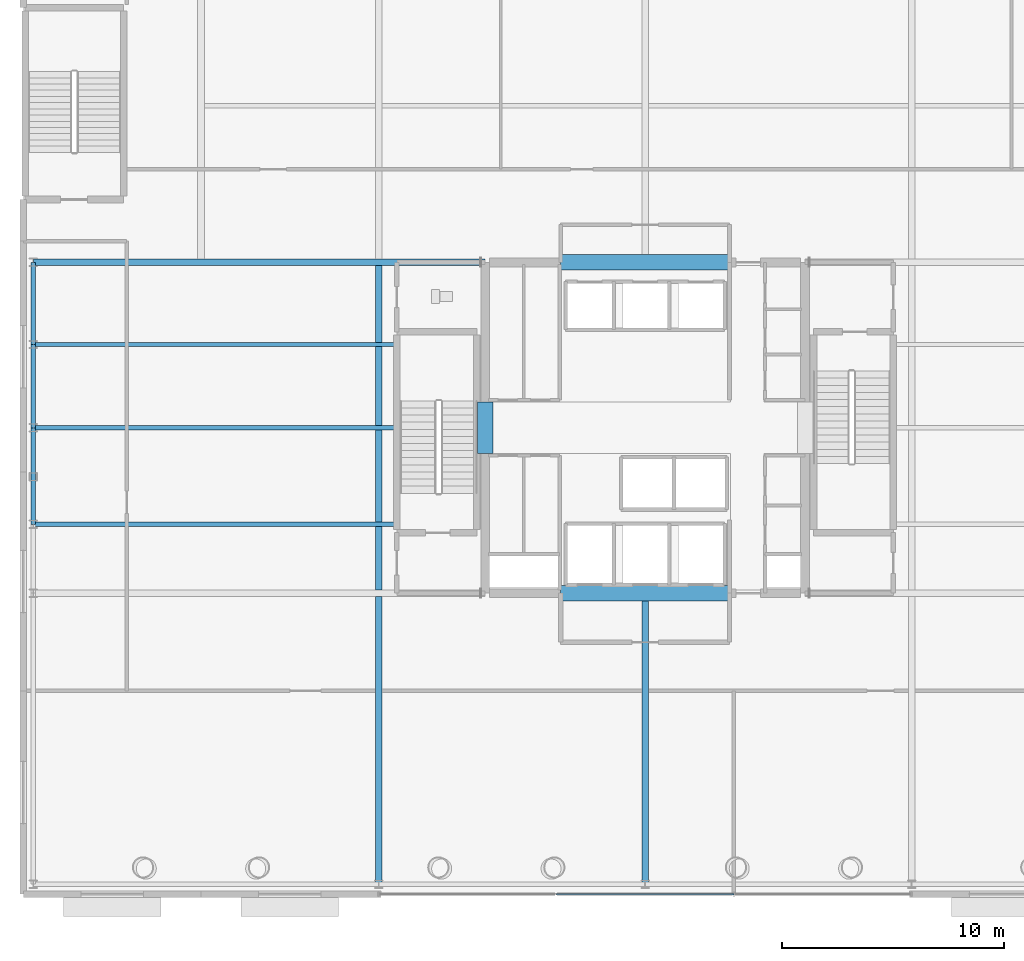
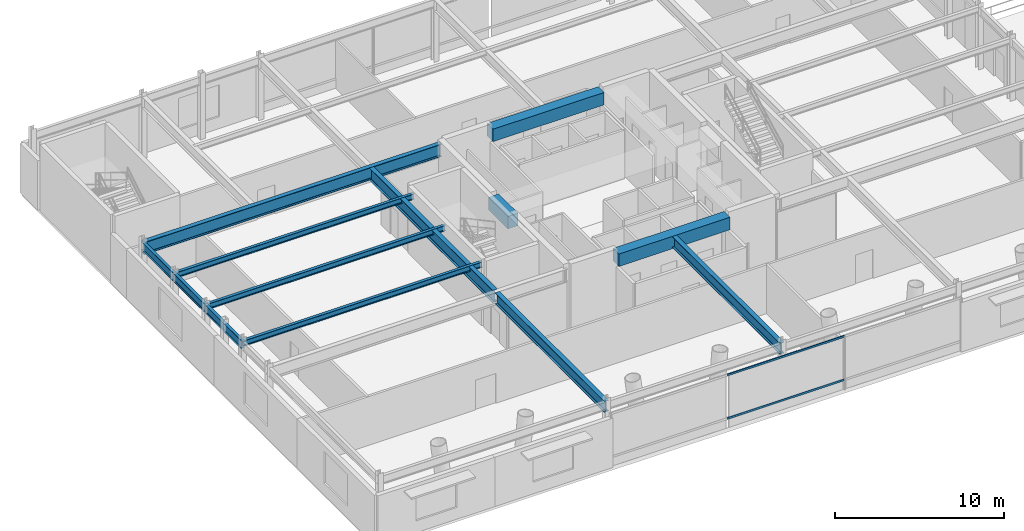
# One storey, part 7 of 22: 13 beams, 2 members, 1 element without a shape of its own.
"""IFC4 building model written with IfcOpenShell, lengths in metres."""

from ifc_helpers import new_model, si_unit, direction, frame, origin, origin_2d, place, context, subcontext, project, spatial, rectangle, hollow_rectangle, i_section, extrude, material, layer, layer_set, material_profile, profile_set, type_object, element, aggregate, save


model = new_model("IFC4")

# Units and contexts
model_context = context("Model", 3, precision=1e-05, world=origin(), true_north=direction((0.0, 1.0)))
body_context = subcontext(model_context, "Body", "Model", "MODEL_VIEW")
ifc_project = project(units=[si_unit("LENGTHUNIT", "METRE"), si_unit("AREAUNIT", "SQUARE_METRE"), si_unit("VOLUMEUNIT", "CUBIC_METRE"), si_unit("PLANEANGLEUNIT", "RADIAN"), si_unit("MASSUNIT", "GRAM", prefix="KILO")], contexts=[model_context])

# Site, building, storey
site_placement = place(None, origin())
site = spatial("IfcSite", under=ifc_project, at=site_placement, CompositionType="ELEMENT")
building_placement = place(site_placement, origin())
building = spatial("IfcBuilding", under=site, at=building_placement, Name="Veldorina Hangang Commons", CompositionType="ELEMENT")
storey_placement = place(building_placement, frame((0.0, 0.0, 14.800048828125)))
storey = spatial("IfcBuildingStorey", under=building, at=storey_placement, Name="L03", CompositionType="ELEMENT", Elevation=14.800048828125)

# Beams
ifc_material_1 = material(Name="Concrete C70/85", Category="concrete")
ifc_material_profile_1 = material_profile(ifc_material_1, rectangle(XDim=0.699951171875, YDim=0.89990234375, at=origin_2d()), Name="RC-CB-700x900")
ifc_profile_set_1 = profile_set([ifc_material_profile_1], Name="Concrete C70/85")
beam_type_1 = type_object("IfcBeamType", Name="BM-CB900", PredefinedType="LINTEL", material=ifc_profile_set_1)
beam_1_placement = place(storey_placement, frame((24.800048828125, 22.85009765625, 4.050048828125), z_axis=(0.0, 1.0, 0.0), x_axis=(-1.0, 0.0, 0.0)))
element("IfcBeam", 1, at=beam_1_placement, inside=storey, type_object=beam_type_1, Name="L03 W core coupling lintel beam", PredefinedType="LINTEL", context=body_context, shape_type="SweptSolid", body=[
    extrude(rectangle(XDim=0.699951171875, YDim=0.89990234375, at=origin_2d()), origin(), (0.0, 0.0, 1.0), 2.2998046875),
])
for number, where, z_axis, x_axis, name in (
    (2, (28.199951171875, 16.550048828125, 4.050048828125), (1.0, 0.0, 0.0), (0.0, 1.0, 0.0), "L03 south core coupling beam"),
    (3, (28.199951171875, 31.449951171875, 4.050048828125), (1.0, 0.0, 0.0), (0.0, 1.0, 0.0), "L03 north core coupling beam"),
):
    element("IfcBeam", number, at=place(storey_placement, frame(where, z_axis=z_axis, x_axis=x_axis)), inside=storey, type_object=beam_type_1, Name=name, PredefinedType="LINTEL", context=body_context, shape_type="SweptSolid", body=[
        extrude(rectangle(XDim=0.699951171875, YDim=0.89990234375, at=origin_2d()), origin(), (0.0, 0.0, 1.0), 7.60009765625),
    ])
ifc_material_2 = material(Name="Steel SM355-TMC", Category="steel")
ifc_material_profile_2 = material_profile(ifc_material_2, i_section(OverallWidth=0.199951171875, OverallDepth=0.39990234375, WebThickness=0.008056640625, FlangeThickness=0.012939453125, FilletRadius=0.012939453125, at=origin_2d()), Name="H-400x200x8x13")
ifc_profile_set_2 = profile_set([ifc_material_profile_2], Name="Steel SM355-TMC")
beam_type_2 = type_object("IfcBeamType", Name="BM-JST400", PredefinedType="JOIST", material=ifc_profile_set_2)
for number, where, z_axis, x_axis, name in (
    (4, (4.449951171875, 19.64990234375, 4.300048828125), (1.0, 0.0, 0.0), (0.0, 1.0, 0.0), "L03 west floor joist 1"),
    (5, (4.449951171875, 24.0, 4.300048828125), (1.0, 0.0, 0.0), (0.0, 1.0, 0.0), "L03 west floor joist 2"),
    (6, (4.449951171875, 27.75, 4.300048828125), (1.0, 0.0, 0.0), (0.0, 1.0, 0.0), "L03 west floor joist 3"),
):
    element("IfcBeam", number, at=place(storey_placement, frame(where, z_axis=z_axis, x_axis=x_axis)), inside=storey, type_object=beam_type_2, Name=name, PredefinedType="JOIST", context=body_context, shape_type="SweptSolid", body=[
        extrude(i_section(OverallWidth=0.199951171875, OverallDepth=0.39990234375, WebThickness=0.008056640625, FlangeThickness=0.012939453125, FilletRadius=0.012939453125, at=origin_2d()), origin(), (0.0, 0.0, 1.0), 16.3701171875),
    ])
ifc_material_3 = material(Name="Steel SM460-TMC", Category="steel")
ifc_material_profile_3 = material_profile(ifc_material_3, i_section(OverallWidth=0.300048828125, OverallDepth=0.800048828125, WebThickness=0.013916015625, FlangeThickness=0.02587890625, FilletRadius=0.02197265625, at=origin_2d()), Name="H-800x300x14x26")
ifc_profile_set_3 = profile_set([ifc_material_profile_3], Name="Steel SM460-TMC")
beam_type_3 = type_object("IfcBeamType", Name="BM-PG800", PredefinedType="BEAM", material=ifc_profile_set_3)
beam_2_placement = place(storey_placement, frame((20.0, 3.449951171875, 4.099853515625), z_axis=(0.0, 1.0, 0.0), x_axis=(-1.0, 0.0, 0.0)))
element("IfcBeam", 7, at=beam_2_placement, inside=storey, type_object=beam_type_3, Name="L03 south primary girder G3", PredefinedType="BEAM", context=body_context, shape_type="SweptSolid", body=[
    extrude(i_section(OverallWidth=0.300048828125, OverallDepth=0.800048828125, WebThickness=0.013916015625, FlangeThickness=0.02587890625, FilletRadius=0.02197265625, at=origin_2d()), origin(), (0.0, 0.0, 1.0), 12.9599609375),
])
beam_3_placement = place(storey_placement, frame((32.0, 3.449951171875, 4.099853515625), z_axis=(0.0, 1.0, 0.0), x_axis=(-1.0, 0.0, 0.0)))
element("IfcBeam", 8, at=beam_3_placement, inside=storey, type_object=beam_type_3, Name="L03 south primary girder G5", PredefinedType="BEAM", context=body_context, shape_type="SweptSolid", body=[
    extrude(i_section(OverallWidth=0.300048828125, OverallDepth=0.800048828125, WebThickness=0.013916015625, FlangeThickness=0.02587890625, FilletRadius=0.02197265625, at=origin_2d()), origin(), (0.0, 0.0, 1.0), 13.10009765625),
])
ifc_material_profile_4 = material_profile(ifc_material_3, i_section(OverallWidth=0.300048828125, OverallDepth=0.89990234375, WebThickness=0.01611328125, FlangeThickness=0.028076171875, FilletRadius=0.02197265625, at=origin_2d()), Name="H-900x300x16x28")
ifc_profile_set_4 = profile_set([ifc_material_profile_4], Name="Steel SM460-TMC")
beam_type_4 = type_object("IfcBeamType", Name="BM-PG900", PredefinedType="BEAM", material=ifc_profile_set_4)
beam_4_placement = place(storey_placement, frame((4.449951171875, 31.449951171875, 4.050048828125), z_axis=(1.0, 0.0, 0.0), x_axis=(0.0, 1.0, 0.0)))
element("IfcBeam", 9, at=beam_4_placement, inside=storey, type_object=beam_type_4, Name="L03 west collector girder GF", PredefinedType="BEAM", context=body_context, shape_type="SweptSolid", body=[
    extrude(i_section(OverallWidth=0.300048828125, OverallDepth=0.89990234375, WebThickness=0.01611328125, FlangeThickness=0.028076171875, FilletRadius=0.02197265625, at=origin_2d()), origin(), (0.0, 0.0, 1.0), 20.35009765625),
])
beam_5_placement = place(storey_placement, frame((20.0, 16.68994140625, 4.050048828125), z_axis=(0.0, 1.0, 0.0), x_axis=(-1.0, 0.0, 0.0)))
element("IfcBeam", 10, at=beam_5_placement, inside=storey, type_object=beam_type_4, Name="L03 mid primary girder G3", PredefinedType="BEAM", context=body_context, shape_type="SweptSolid", body=[
    extrude(i_section(OverallWidth=0.300048828125, OverallDepth=0.89990234375, WebThickness=0.01611328125, FlangeThickness=0.028076171875, FilletRadius=0.02197265625, at=origin_2d()), origin(), (0.0, 0.0, 1.0), 14.6201171875),
])
ifc_material_4 = material(Name="Steel SM420-TMC", Category="steel")
ifc_material_profile_5 = material_profile(ifc_material_4, i_section(OverallWidth=0.199951171875, OverallDepth=0.60009765625, WebThickness=0.010986328125, FlangeThickness=0.01708984375, FilletRadius=0.01806640625, at=origin_2d()), Name="H-600x200x11x17")
ifc_profile_set_5 = profile_set([ifc_material_profile_5], Name="Steel SM420-TMC")
beam_type_5 = type_object("IfcBeamType", Name="BM-SPN600", PredefinedType="SPANDREL", material=ifc_profile_set_5)
beam_6_placement = place(storey_placement, frame((4.449951171875, 19.64990234375, 4.199951171875), z_axis=(0.0, 1.0, 0.0), x_axis=(-1.0, 0.0, 0.0)))
element("IfcBeam", 11, at=beam_6_placement, inside=storey, type_object=beam_type_5, Name="L03 west spandrel beam 3", PredefinedType="SPANDREL", context=body_context, shape_type="SweptSolid", body=[
    extrude(i_section(OverallWidth=0.199951171875, OverallDepth=0.60009765625, WebThickness=0.010986328125, FlangeThickness=0.01708984375, FilletRadius=0.01806640625, at=origin_2d()), origin(), (0.0, 0.0, 1.0), 4.35009765625),
])
beam_7_placement = place(storey_placement, frame((4.449951171875, 24.0, 4.199951171875), z_axis=(0.0, 1.0, 0.0), x_axis=(-1.0, 0.0, 0.0)))
element("IfcBeam", 12, at=beam_7_placement, inside=storey, type_object=beam_type_5, Name="L03 west spandrel beam 4", PredefinedType="SPANDREL", context=body_context, shape_type="SweptSolid", body=[
    extrude(i_section(OverallWidth=0.199951171875, OverallDepth=0.60009765625, WebThickness=0.010986328125, FlangeThickness=0.01708984375, FilletRadius=0.01806640625, at=origin_2d()), origin(), (0.0, 0.0, 1.0), 3.75),
])
beam_8_placement = place(storey_placement, frame((4.449951171875, 27.75, 4.199951171875), z_axis=(0.0, 1.0, 0.0), x_axis=(-1.0, 0.0, 0.0)))
element("IfcBeam", 13, at=beam_8_placement, inside=storey, type_object=beam_type_5, Name="L03 west spandrel beam 5", PredefinedType="SPANDREL", context=body_context, shape_type="SweptSolid", body=[
    extrude(i_section(OverallWidth=0.199951171875, OverallDepth=0.60009765625, WebThickness=0.010986328125, FlangeThickness=0.01708984375, FilletRadius=0.01806640625, at=origin_2d()), origin(), (0.0, 0.0, 1.0), 3.699951171875),
])

# Curtain wall, members
ifc_material_5 = material(Name="Glass Low-E Triple IGU", Category="glass")
ifc_layer = layer(ifc_material_5, 0.179931640625)
ifc_layer_set = layer_set([ifc_layer], Name="Glass Low-E Triple IGU")
curtain_wall_type = type_object("IfcCurtainWallType", Name="CW-SYS-POD", PredefinedType="NOTDEFINED", material=ifc_layer_set)
curtain_wall_placement = place(storey_placement, origin())
curtain_wall = element("IfcCurtainWall", 14, at=curtain_wall_placement, inside=storey, type_object=curtain_wall_type, Name="L03 unitised curtain wall CW-L03-S-CTR", PredefinedType="NOTDEFINED")
ifc_material_6 = material(Name="Aluminium Anodized AA6063-T6", Category="aluminium")
ifc_material_profile_6 = material_profile(ifc_material_6, hollow_rectangle(XDim=0.06005859375, YDim=0.139892578125, WallThickness=0.00341796875, at=origin_2d()), Name="ALU-RHS-140x60x3.5")
ifc_profile_set_6 = profile_set([ifc_material_profile_6], Name="Aluminium Anodized AA6063-T6")
member_type = type_object("IfcMemberType", Name="CW-TRN-140", PredefinedType="USERDEFINED", material=ifc_profile_set_6)
member_1_placement = place(storey_placement, frame((28.0, 3.0, 0.699951171875), z_axis=(1.0, 0.0, 0.0), x_axis=(0.0, 1.0, 0.0)))
member_1 = element("IfcMember", 15, at=member_1_placement, type_object=member_type, Name="CW-L03-S-CTR facet 2 transom 1", ObjectType="TRANSOM", PredefinedType="USERDEFINED", context=body_context, shape_type="SweptSolid", body=[
    extrude(hollow_rectangle(XDim=0.06005859375, YDim=0.139892578125, WallThickness=0.00341796875, at=origin_2d()), origin(), (0.0, 0.0, 1.0), 8.0),
])
member_2_placement = place(storey_placement, frame((28.0, 3.0, 3.83984375), z_axis=(1.0, 0.0, 0.0), x_axis=(0.0, 1.0, 0.0)))
member_2 = element("IfcMember", 16, at=member_2_placement, type_object=member_type, Name="CW-L03-S-CTR facet 2 transom 2", ObjectType="TRANSOM", PredefinedType="USERDEFINED", context=body_context, shape_type="SweptSolid", body=[
    extrude(hollow_rectangle(XDim=0.06005859375, YDim=0.139892578125, WallThickness=0.00341796875, at=origin_2d()), origin(), (0.0, 0.0, 1.0), 8.0),
])
aggregate(curtain_wall, [member_1, member_2])

save(model, "model.ifc")
